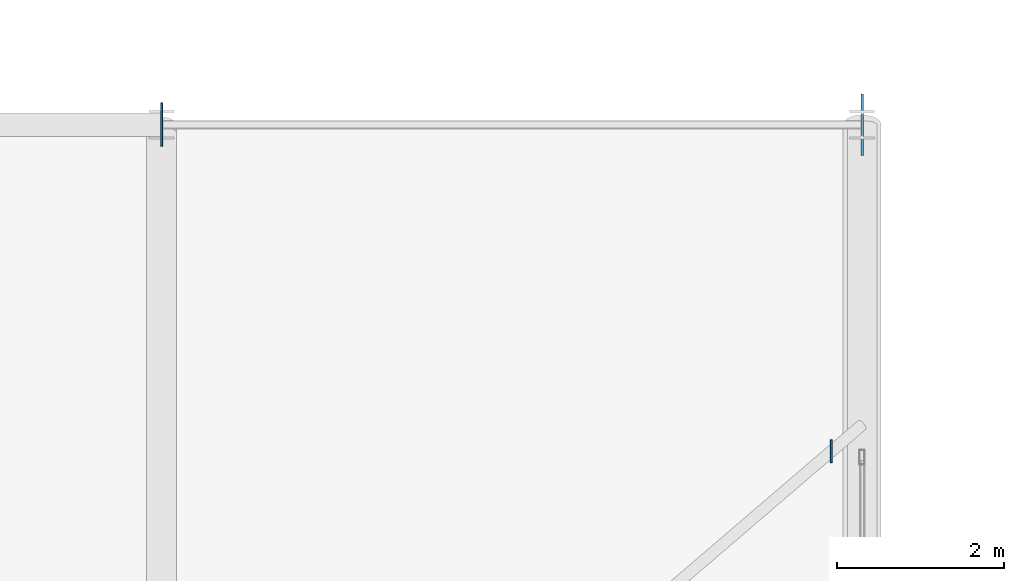
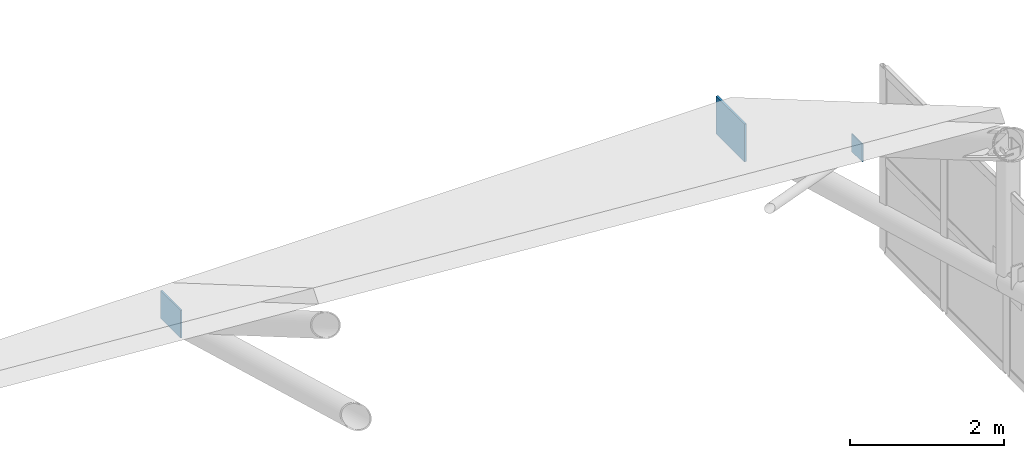
# One storey, part 48 of 54: 3 plates.
"""IFC4 building model written with IfcOpenShell, lengths in metres."""

from ifc_helpers import new_model, si_unit, direction, frame, origin, origin_2d, place, context, subcontext, project, spatial, rectangle, extrude, material, layer, layer_set, type_object, element, save


model = new_model("IFC4")

# Units and contexts
model_context = context("Model", 3, precision=1e-05, world=origin(), true_north=direction((0.0, 1.0)))
body_context = subcontext(model_context, "Body", "Model", "MODEL_VIEW")
ifc_project = project(units=[si_unit("LENGTHUNIT", "METRE"), si_unit("AREAUNIT", "SQUARE_METRE"), si_unit("VOLUMEUNIT", "CUBIC_METRE"), si_unit("PLANEANGLEUNIT", "RADIAN"), si_unit("MASSUNIT", "GRAM", prefix="KILO")], contexts=[model_context])

# Site, building, storey
site_placement = place(None, origin())
site = spatial("IfcSite", under=ifc_project, at=site_placement, CompositionType="ELEMENT")
building_placement = place(site_placement, origin())
building = spatial("IfcBuilding", under=site, at=building_placement, Name="Zulmaris Art Gallery", CompositionType="ELEMENT")
storey_placement = place(building_placement, frame((0.0, 0.0, 26.39990234375)))
storey = spatial("IfcBuildingStorey", under=building, at=storey_placement, Name="L05", CompositionType="ELEMENT", Elevation=26.39990234375)

# Plates
ifc_material = material(Name="Steel S355J2", Category="steel")
ifc_layer_1 = layer(ifc_material, 0.02001953125)
ifc_layer_set_1 = layer_set([ifc_layer_1], Name="Steel S355J2")
plate_type_1 = type_object("IfcPlateType", Name="PLT-CP01", PredefinedType="USERDEFINED", material=ifc_layer_set_1)
plate_1_placement = place(storey_placement, frame((82.430908203125, 46.483642578125, 1.564453125), z_axis=(0.0, 0.0, 1.0), x_axis=(1.0, 0.0, 0.0)))
element("IfcPlate", 1, at=plate_1_placement, inside=storey, type_object=plate_type_1, Name="Hollow-section end cap plate 124", ObjectType="CAP PLATE", PredefinedType="USERDEFINED", context=body_context, shape_type="SweptSolid", body=[
    extrude(rectangle(XDim=0.02001953125, YDim=0.280029296875, at=origin_2d()), origin(), (0.0, 0.0, 1.0), 0.280029296875),
])
ifc_layer_2 = layer(ifc_material, 0.02392578125)
ifc_layer_set_2 = layer_set([ifc_layer_2], Name="Steel S355J2")
plate_type_2 = type_object("IfcPlateType", Name="PLT-GP01", PredefinedType="USERDEFINED", material=ifc_layer_set_2)
plate_2_placement = place(storey_placement, frame((74.39990234375, 50.39990234375, -0.719970703125), z_axis=(0.0, 0.0, 1.0), x_axis=(1.0, 0.0, 0.0)))
element("IfcPlate", 2, at=plate_2_placement, inside=storey, type_object=plate_type_2, Name="Pitched truss TR-R09 node gusset 5", ObjectType="GUSSET PLATE", PredefinedType="USERDEFINED", context=body_context, shape_type="SweptSolid", body=[
    extrude(rectangle(XDim=0.02392578125, YDim=0.52001953125, at=origin_2d()), origin(), (0.0, 0.0, 1.0), 0.43994140625),
])
ifc_layer_3 = layer(ifc_material, 0.031982421875)
ifc_layer_set_3 = layer_set([ifc_layer_3], Name="Steel S355J2")
plate_type_3 = type_object("IfcPlateType", Name="PLT-GP03", PredefinedType="USERDEFINED", material=ifc_layer_set_3)
plate_3_placement = place(storey_placement, frame((82.800048828125, 50.39990234375, -0.800048828125), z_axis=(0.0, 0.0, 1.0), x_axis=(1.0, 0.0, 0.0)))
element("IfcPlate", 3, at=plate_3_placement, inside=storey, type_object=plate_type_3, Name="Pitched truss TR-R10 node gusset 5", ObjectType="GUSSET PLATE", PredefinedType="USERDEFINED", context=body_context, shape_type="SweptSolid", body=[
    extrude(rectangle(XDim=0.031982421875, YDim=0.739990234375, at=origin_2d()), origin(), (0.0, 0.0, 1.0), 0.60009765625),
])

save(model, "model.ifc")
